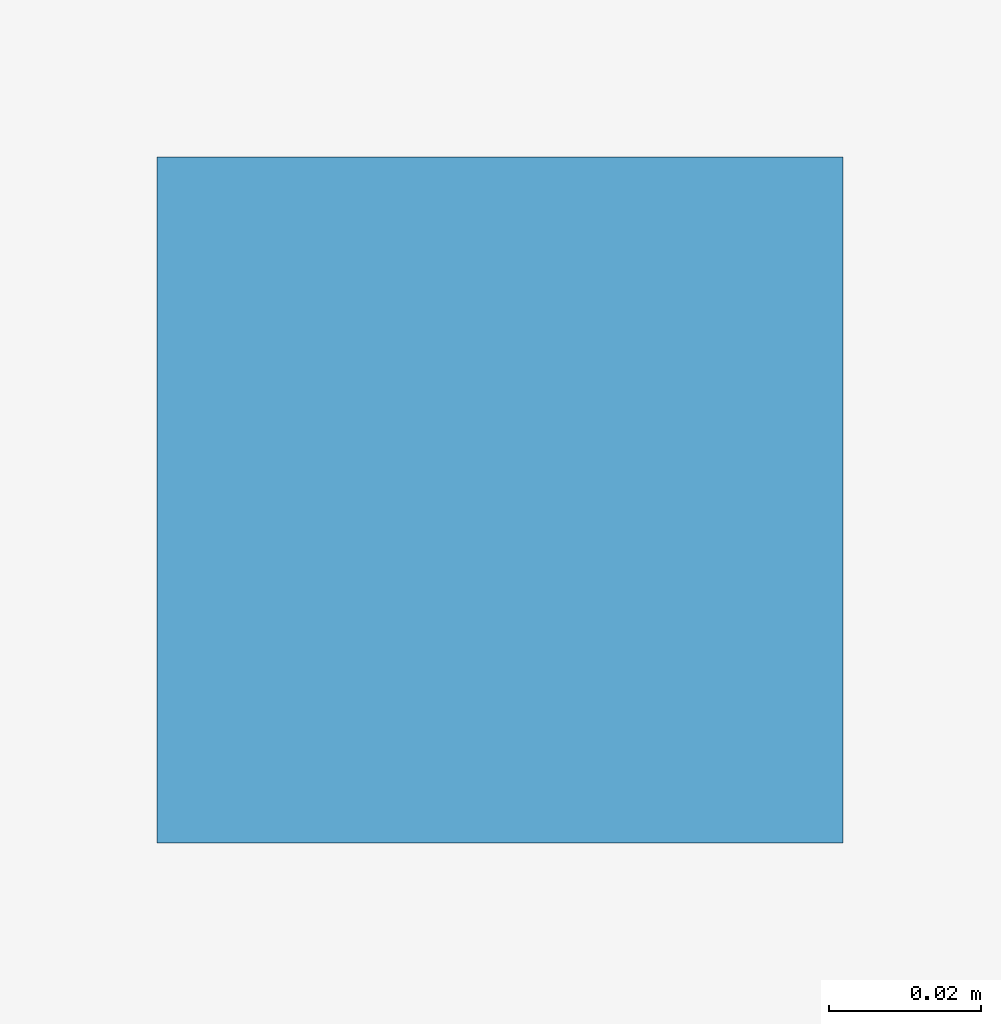
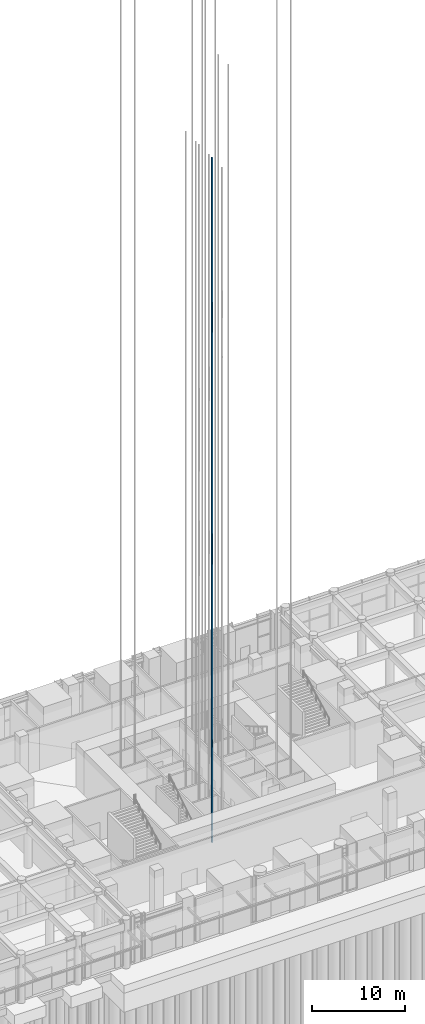
# One storey, part 28 of 46: 1 discrete accessory.
"""IFC4 building model written with IfcOpenShell, lengths in metres."""

from ifc_helpers import new_model, si_unit, direction, frame, origin, origin_2d, place, context, subcontext, project, spatial, rectangle, extrude, element, save


model = new_model("IFC4")

# Units and contexts
model_context = context("Model", 3, precision=1e-05, world=origin(), true_north=direction((0.0, 1.0)))
body_context = subcontext(model_context, "Body", "Model", "MODEL_VIEW")
ifc_project = project(units=[si_unit("LENGTHUNIT", "METRE"), si_unit("AREAUNIT", "SQUARE_METRE"), si_unit("VOLUMEUNIT", "CUBIC_METRE"), si_unit("PLANEANGLEUNIT", "RADIAN"), si_unit("MASSUNIT", "GRAM", prefix="KILO")], contexts=[model_context])

# Site, building, storey
site_placement = place(None, origin())
site = spatial("IfcSite", under=ifc_project, at=site_placement, CompositionType="ELEMENT")
building_placement = place(site_placement, origin())
building = spatial("IfcBuilding", under=site, at=building_placement, Name="Svetlomir Tower", CompositionType="ELEMENT")
storey_placement = place(building_placement, origin())
storey = spatial("IfcBuildingStorey", under=building, at=storey_placement, Name="L00", CompositionType="ELEMENT", Elevation=0.0)

# Discrete accessory
discrete_accessory_placement = place(storey_placement, frame((18.300048828125, 14.97509765625, 0.0), z_axis=(0.0, 0.0, 1.0), x_axis=(1.0, 0.0, 0.0)))
element("IfcDiscreteAccessory", 1, at=discrete_accessory_placement, inside=storey, Name="Lift LA1 guide rail 2", ObjectType="LIFT GUIDE RAIL", PredefinedType="USERDEFINED", context=body_context, shape_type="SweptSolid", body=[
    extrude(rectangle(XDim=0.090087890625, YDim=0.090087890625, at=origin_2d()), origin(), (0.0, 0.0, 1.0), 89.699951171875),
])

save(model, "model.ifc")
